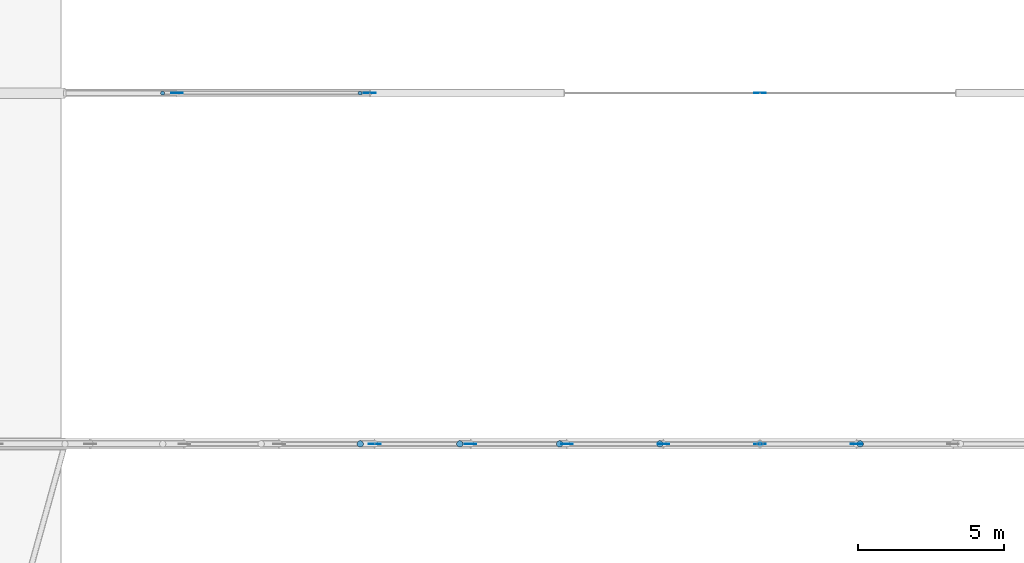
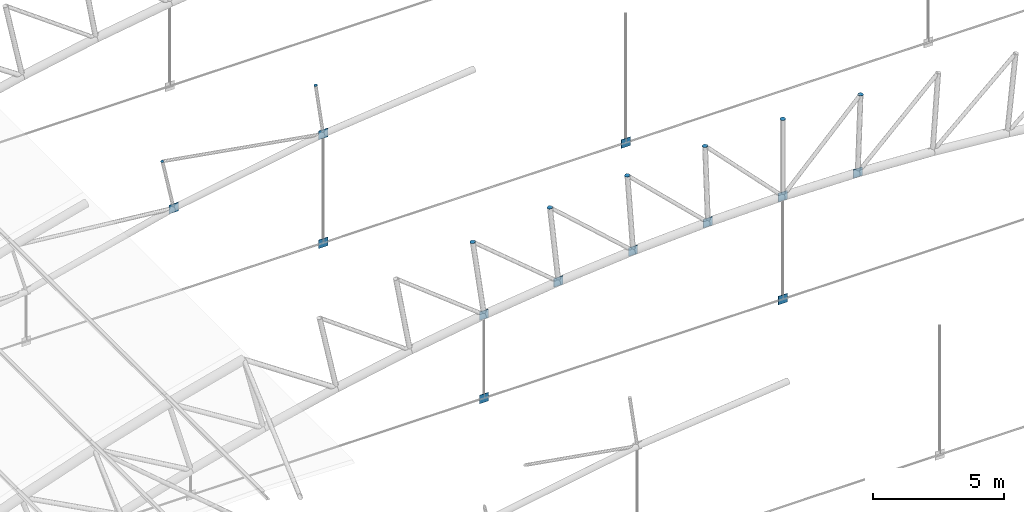
# One storey, part 272 of 321: 20 discrete accessories.
"""IFC4 building model written with IfcOpenShell, lengths in metres."""

from ifc_helpers import new_model, si_unit, direction, frame, origin, origin_2d, place, context, subcontext, project, spatial, rectangle, circle, extrude, material, material_profile, profile_set, type_object, element, save


model = new_model("IFC4")

# Units and contexts
model_context = context("Model", 3, precision=1e-05, world=origin(), true_north=direction((0.0, 1.0)))
body_context = subcontext(model_context, "Body", "Model", "MODEL_VIEW")
ifc_project = project(units=[si_unit("LENGTHUNIT", "METRE"), si_unit("AREAUNIT", "SQUARE_METRE"), si_unit("VOLUMEUNIT", "CUBIC_METRE"), si_unit("PLANEANGLEUNIT", "RADIAN"), si_unit("MASSUNIT", "GRAM", prefix="KILO")], contexts=[model_context])

# Site, building, storey
site_placement = place(None, origin())
site = spatial("IfcSite", under=ifc_project, at=site_placement, CompositionType="ELEMENT")
building_placement = place(site_placement, origin())
building = spatial("IfcBuilding", under=site, at=building_placement, Name="Ravi Spectrum Wholesale Market", CompositionType="ELEMENT")
storey_placement = place(building_placement, frame((0.0, 0.0, 10.800048828125)))
storey = spatial("IfcBuildingStorey", under=building, at=storey_placement, Name="L02", CompositionType="ELEMENT", Elevation=10.800048828125)

# Discrete accessories
ifc_material_1 = material(Name="Steel S355", Category="steel")
ifc_material_profile_1 = material_profile(ifc_material_1, circle(Radius=0.06982421875, at=origin_2d()))
ifc_profile_set_1 = profile_set([ifc_material_profile_1], Name="Steel S355")
discrete_accessory_type_1 = type_object("IfcDiscreteAccessoryType", Name="End plate CHS 139.7x5", PredefinedType="BRACKET", material=ifc_profile_set_1)
for number, where, z_axis, x_axis, name in (
    (1, (49.55859375, 90.0, 6.30224609375), (-0.203954254112, 0.0, 0.978980419738), (0.0, -1.0, 0.0), "End plate"),
    (2, (56.318115234375, 90.0, 7.479736328125), (-0.141421356237, 0.0, 0.989949493661), (0.0, -1.0, 0.0), "End plate"),
):
    element("IfcDiscreteAccessory", number, at=place(storey_placement, frame(where, z_axis=z_axis, x_axis=x_axis)), inside=storey, type_object=discrete_accessory_type_1, Name=name, PredefinedType="BRACKET", context=body_context, shape_type="SweptSolid", body=[
        extrude(circle(Radius=0.06982421875, at=origin_2d()), origin(), (0.0, 0.0, 1.0), 0.011962890625),
    ])
ifc_material_2 = material(Name="Steel S355", Category="steel")
ifc_material_profile_2 = material_profile(ifc_material_2, circle(Radius=0.109619140625, at=origin_2d()))
ifc_profile_set_2 = profile_set([ifc_material_profile_2], Name="Steel S355")
discrete_accessory_type_2 = type_object("IfcDiscreteAccessoryType", Name="End plate CHS 219.1x8", PredefinedType="BRACKET", material=ifc_profile_set_2)
for number, where, z_axis, x_axis, name in (
    (3, (56.321533203125, 78.0, 7.45458984375), (-0.141421356237, 0.0, 0.989949493661), (0.0, -1.0, 0.0), "End plate"),
    (4, (59.726806640625, 78.0, 7.867919921875), (-0.101513688013, 0.0, 0.994834142531), (0.0, -1.0, 0.0), "End plate"),
    (5, (63.14453125, 78.0, 8.163330078125), (-0.081362009455, 0.0, 0.996684615823), (0.0, -1.0, 0.0), "End plate"),
    (6, (66.5703125, 78.0, 8.3408203125), (-0.040782369514, 0.0, 0.999168053101), (0.0, -1.0, 0.0), "End plate"),
    (7, (70.0, 78.0, 8.39990234375), (0.0, 0.0, 1.0), (1.0, 0.0, 0.0), "End plate"),
    (8, (73.4296875, 78.0, 8.3408203125), (0.040782369514, 0.0, 0.999168053101), (0.0, 1.0, 0.0), "End plate"),
):
    element("IfcDiscreteAccessory", number, at=place(storey_placement, frame(where, z_axis=z_axis, x_axis=x_axis)), inside=storey, type_object=discrete_accessory_type_2, Name=name, PredefinedType="BRACKET", context=body_context, shape_type="SweptSolid", body=[
        extrude(circle(Radius=0.109619140625, at=origin_2d()), origin(), (0.0, 0.0, 1.0), 0.011962890625),
    ])
ifc_material_3 = material(Name="Steel S355", Category="steel")
ifc_material_profile_3 = material_profile(ifc_material_3, rectangle(XDim=0.39990234375, YDim=0.02001953125, at=origin_2d()))
ifc_profile_set_3 = profile_set([ifc_material_profile_3], Name="Steel S355")
discrete_accessory_type_3 = type_object("IfcDiscreteAccessoryType", Name="Gusset plate 400x400x20", PredefinedType="BRACKET", material=ifc_profile_set_3)
for number, where, z_axis, x_axis, name in (
    (9, (50.0517578125, 90.0, 3.75341796875), (0.0, 0.0, 1.0), (1.0, 0.0, 0.0), "Gusset plate"),
    (10, (56.648193359375, 90.0, -0.1767578125), (0.0, 0.0, 1.0), (1.0, 0.0, 0.0), "Gusset plate"),
):
    element("IfcDiscreteAccessory", number, at=place(storey_placement, frame(where, z_axis=z_axis, x_axis=x_axis)), inside=storey, type_object=discrete_accessory_type_3, Name=name, PredefinedType="BRACKET", context=body_context, shape_type="SweptSolid", body=[
        extrude(rectangle(XDim=0.39990234375, YDim=0.02001953125, at=origin_2d()), origin(), (0.0, 0.0, 1.0), 0.39990234375),
    ])
discrete_accessory_1_placement = place(storey_placement, frame((56.648193359375, 90.0, 4.902587890625), z_axis=(0.0, 0.0, 1.0), x_axis=(1.0, 0.0, 0.0)))
element("IfcDiscreteAccessory", 11, at=discrete_accessory_1_placement, inside=storey, type_object=discrete_accessory_type_3, Name="Gusset plate", PredefinedType="BRACKET", context=body_context, shape_type="SweptSolid", body=[
    extrude(rectangle(XDim=0.39990234375, YDim=0.02001953125, at=origin_2d()), origin(), (0.0, 0.0, 1.0), 0.400146484375),
])
for number, where, z_axis, x_axis, name in (
    (12, (56.81689453125, 78.0, -0.199951171875), (0.0, 0.0, 1.0), (1.0, 0.0, 0.0), "Gusset plate"),
    (13, (56.81689453125, 78.0, 3.68896484375), (0.0, 0.0, 1.0), (1.0, 0.0, 0.0), "Gusset plate"),
    (14, (60.098876953125, 78.0, 4.087158203125), (0.0, 0.0, 1.0), (1.0, 0.0, 0.0), "Gusset plate"),
):
    element("IfcDiscreteAccessory", number, at=place(storey_placement, frame(where, z_axis=z_axis, x_axis=x_axis)), inside=storey, type_object=discrete_accessory_type_3, Name=name, PredefinedType="BRACKET", context=body_context, shape_type="SweptSolid", body=[
        extrude(rectangle(XDim=0.39990234375, YDim=0.02001953125, at=origin_2d()), origin(), (0.0, 0.0, 1.0), 0.39990234375),
    ])
discrete_accessory_2_placement = place(storey_placement, frame((63.392578125, 78.0, 4.371826171875), z_axis=(0.0, 0.0, 1.0), x_axis=(1.0, 0.0, 0.0)))
element("IfcDiscreteAccessory", 15, at=discrete_accessory_2_placement, inside=storey, type_object=discrete_accessory_type_3, Name="Gusset plate", PredefinedType="BRACKET", context=body_context, shape_type="SweptSolid", body=[
    extrude(rectangle(XDim=0.39990234375, YDim=0.02001953125, at=origin_2d()), origin(), (0.0, 0.0, 1.0), 0.400146484375),
])
for number, where, z_axis, x_axis, name in (
    (16, (66.6943359375, 78.0, 4.54296875), (0.0, 0.0, 1.0), (1.0, 0.0, 0.0), "Gusset plate"),
    (17, (70.0, 78.0, -0.199951171875), (0.0, 0.0, 1.0), (1.0, 0.0, 0.0), "Gusset plate"),
):
    element("IfcDiscreteAccessory", number, at=place(storey_placement, frame(where, z_axis=z_axis, x_axis=x_axis)), inside=storey, type_object=discrete_accessory_type_3, Name=name, PredefinedType="BRACKET", context=body_context, shape_type="SweptSolid", body=[
        extrude(rectangle(XDim=0.39990234375, YDim=0.02001953125, at=origin_2d()), origin(), (0.0, 0.0, 1.0), 0.39990234375),
    ])
discrete_accessory_3_placement = place(storey_placement, frame((70.0, 78.0, 4.599853515625), z_axis=(0.0, 0.0, 1.0), x_axis=(1.0, 0.0, 0.0)))
element("IfcDiscreteAccessory", 18, at=discrete_accessory_3_placement, inside=storey, type_object=discrete_accessory_type_3, Name="Gusset plate", PredefinedType="BRACKET", context=body_context, shape_type="SweptSolid", body=[
    extrude(rectangle(XDim=0.39990234375, YDim=0.02001953125, at=origin_2d()), origin(), (0.0, 0.0, 1.0), 0.400146484375),
])
for number, where, z_axis, x_axis, name in (
    (19, (70.0, 90.0, -0.1767578125), (0.0, 0.0, 1.0), (1.0, 0.0, 0.0), "Gusset plate"),
    (20, (73.3056640625, 78.0, 4.54296875), (0.0, 0.0, 1.0), (-1.0, 0.0, 0.0), "Gusset plate"),
):
    element("IfcDiscreteAccessory", number, at=place(storey_placement, frame(where, z_axis=z_axis, x_axis=x_axis)), inside=storey, type_object=discrete_accessory_type_3, Name=name, PredefinedType="BRACKET", context=body_context, shape_type="SweptSolid", body=[
        extrude(rectangle(XDim=0.39990234375, YDim=0.02001953125, at=origin_2d()), origin(), (0.0, 0.0, 1.0), 0.39990234375),
    ])

save(model, "model.ifc")
